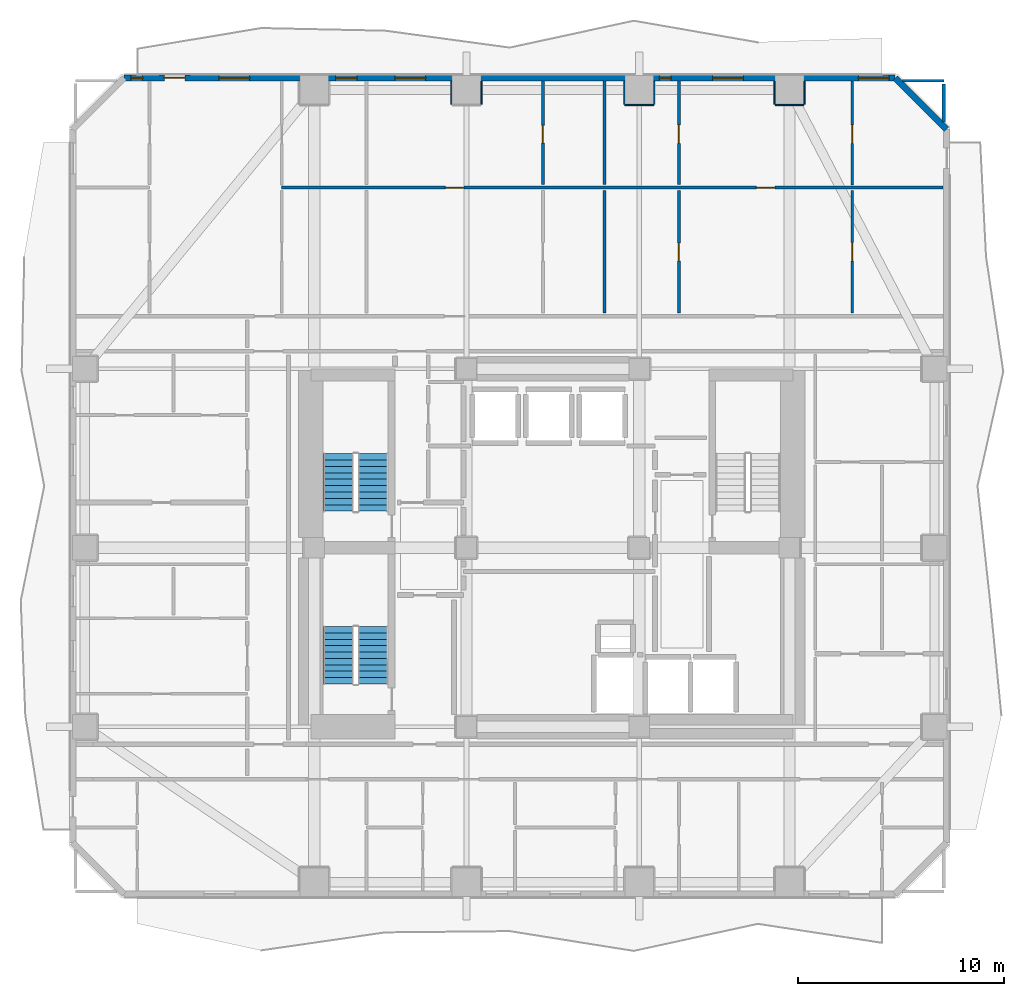
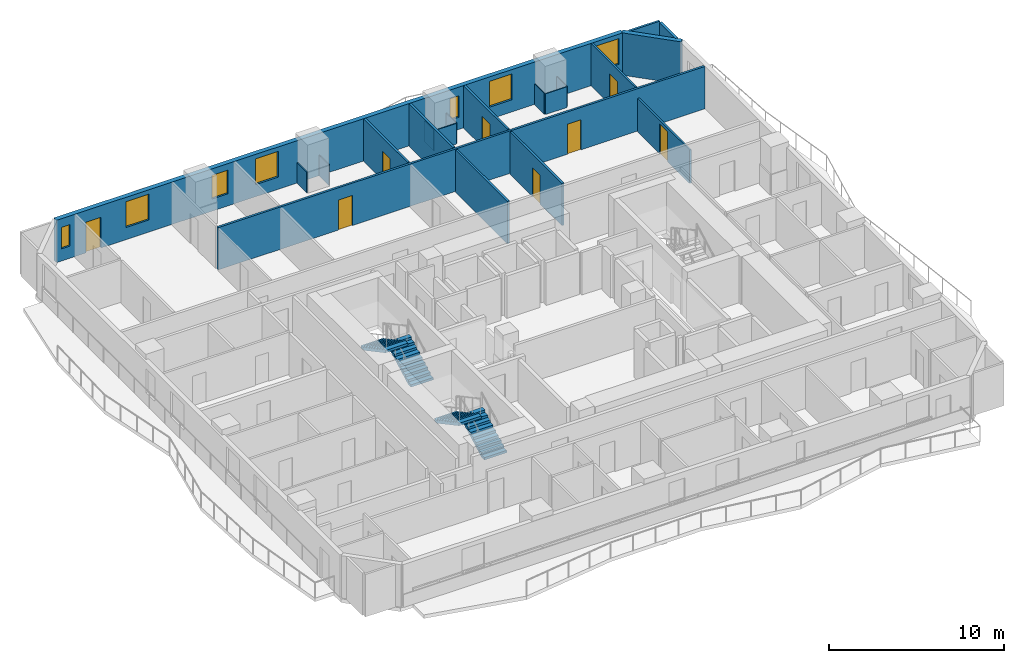
# One storey, part 7 of 12: 20 walls, 8 doors, 7 windows, 4 stair flights, 15 openings, 2 elements without a shape of their own.
"""IFC4 building model written with IfcOpenShell, lengths in metres."""

from ifc_helpers import new_model, si_unit, direction, frame, frame_2d, origin, place, context, subcontext, project, spatial, polyline, rectangle, outline, extrude, material, layer, layer_set, type_object, element, fill, aggregate, save


model = new_model("IFC4")

# Units and contexts
model_context = context("Model", 3, precision=1e-05, world=origin(), true_north=direction((0.0, 1.0)))
body_context = subcontext(model_context, "Body", "Model", "MODEL_VIEW")
ifc_project = project(units=[si_unit("LENGTHUNIT", "METRE"), si_unit("AREAUNIT", "SQUARE_METRE"), si_unit("VOLUMEUNIT", "CUBIC_METRE"), si_unit("PLANEANGLEUNIT", "RADIAN"), si_unit("MASSUNIT", "GRAM", prefix="KILO")], contexts=[model_context])

# Site, building, storey
site_placement = place(None, origin())
site = spatial("IfcSite", under=ifc_project, at=site_placement, CompositionType="ELEMENT")
building_placement = place(site_placement, origin())
building = spatial("IfcBuilding", under=site, at=building_placement, Name="Solanera Arch Residences", CompositionType="ELEMENT")
storey_placement = place(building_placement, frame((0.0, 0.0, 85.080078125)))
storey = spatial("IfcBuildingStorey", under=building, at=storey_placement, Name="L24", CompositionType="ELEMENT", Elevation=85.080078125)

# Walls
ifc_material_1 = material(Name="Fire-Rated Gypsum Stud Partition", Category="gypsum")
ifc_layer_1 = layer(ifc_material_1, 0.06005859375)
ifc_layer_set_1 = layer_set([ifc_layer_1], Name="Fire-Rated Gypsum Stud Partition")
wall_type_1 = type_object("IfcWallType", Name="Column Acoustic Furring Wall 60", PredefinedType="PARTITIONING", material=ifc_layer_set_1)
for number, where, z_axis, x_axis, name in (
    (1, (20.068115234375, 52.25, 0.0), (0.0, 0.0, 1.0), (0.0, 1.0, 0.0), "L24 Column Furring 12W"),
    (2, (21.531982421875, 52.25, 0.0), (0.0, 0.0, 1.0), (0.0, 1.0, 0.0), "L24 Column Furring 12E"),
):
    element("IfcWall", number, at=place(storey_placement, frame(where, z_axis=z_axis, x_axis=x_axis)), inside=storey, type_object=wall_type_1, Name=name, PredefinedType="PARTITIONING", context=body_context, shape_type="SweptSolid", body=[
        extrude(rectangle(XDim=1.1201171875, YDim=0.06005859375, at=frame_2d((0.56005859375, 0.0))), origin(), (0.0, 0.0, 1.0), 1.449951171875),
    ])
wall_1_placement = place(storey_placement, frame((28.5, 52.218017578125, 0.0), z_axis=(0.0, 0.0, 1.0), x_axis=(1.0, 0.0, 0.0)))
element("IfcWall", 3, at=wall_1_placement, inside=storey, type_object=wall_type_1, Name="L24 Column Furring 14S", PredefinedType="PARTITIONING", context=body_context, shape_type="SweptSolid", body=[
    extrude(rectangle(XDim=1.39990234375, YDim=0.06005859375, at=frame_2d((0.699951171875, 0.0))), origin(), (0.0, 0.0, 1.0), 1.449951171875),
])
for number, where, z_axis, x_axis, name in (
    (4, (28.468017578125, 52.25, 0.0), (0.0, 0.0, 1.0), (0.0, 1.0, 0.0), "L24 Column Furring 14W"),
    (5, (29.931884765625, 52.25, 0.0), (0.0, 0.0, 1.0), (0.0, 1.0, 0.0), "L24 Column Furring 14E"),
):
    element("IfcWall", number, at=place(storey_placement, frame(where, z_axis=z_axis, x_axis=x_axis)), inside=storey, type_object=wall_type_1, Name=name, PredefinedType="PARTITIONING", context=body_context, shape_type="SweptSolid", body=[
        extrude(rectangle(XDim=1.1201171875, YDim=0.06005859375, at=frame_2d((0.56005859375, 0.0))), origin(), (0.0, 0.0, 1.0), 1.449951171875),
    ])
wall_2_placement = place(storey_placement, frame((35.800048828125, 52.218017578125, 0.0), z_axis=(0.0, 0.0, 1.0), x_axis=(1.0, 0.0, 0.0)))
element("IfcWall", 6, at=wall_2_placement, inside=storey, type_object=wall_type_1, Name="L24 Column Furring 16S", PredefinedType="PARTITIONING", context=body_context, shape_type="SweptSolid", body=[
    extrude(rectangle(XDim=1.39990234375, YDim=0.06005859375, at=frame_2d((0.699951171875, 0.0))), origin(), (0.0, 0.0, 1.0), 1.449951171875),
])
for number, where, z_axis, x_axis, name in (
    (7, (35.76806640625, 52.25, 0.0), (0.0, 0.0, 1.0), (0.0, 1.0, 0.0), "L24 Column Furring 16W"),
    (8, (37.23193359375, 52.25, 0.0), (0.0, 0.0, 1.0), (0.0, 1.0, 0.0), "L24 Column Furring 16E"),
):
    element("IfcWall", number, at=place(storey_placement, frame(where, z_axis=z_axis, x_axis=x_axis)), inside=storey, type_object=wall_type_1, Name=name, PredefinedType="PARTITIONING", context=body_context, shape_type="SweptSolid", body=[
        extrude(rectangle(XDim=1.1201171875, YDim=0.06005859375, at=frame_2d((0.56005859375, 0.0))), origin(), (0.0, 0.0, 1.0), 1.449951171875),
    ])
ifc_material_2 = material(Name="Autoclaved Aerated Concrete Blockwork", Category="masonry")
ifc_layer_2 = layer(ifc_material_2, 0.179931640625)
ifc_layer_set_2 = layer_set([ifc_layer_2], Name="Autoclaved Aerated Concrete Blockwork")
wall_type_2 = type_object("IfcWallType", Name="Corridor Fire Partition 180", PredefinedType="PARTITIONING", material=ifc_layer_set_2)
wall_3_placement = place(storey_placement, frame((44.0, 51.39892578125, 0.0), z_axis=(0.0, 0.0, 1.0), x_axis=(0.0, 1.0, 0.0)))
element("IfcWall", 9, at=wall_3_placement, inside=storey, type_object=wall_type_2, Name="L24 Interior Partition V9 2", PredefinedType="PARTITIONING", context=body_context, shape_type="SweptSolid", body=[
    extrude(rectangle(XDim=1.8330078125, YDim=0.179931640625, at=frame_2d((0.91650390625, 0.0))), origin(), (0.0, 0.0, 1.0), 2.9599609375),
])

# Wall, openings, door, windows
ifc_material_3 = material(Name="Precast Concrete C35/45", Category="concrete")
ifc_layer_3 = layer(ifc_material_3, 0.300048828125)
ifc_layer_set_3 = layer_set([ifc_layer_3], Name="Precast Concrete C35/45")
wall_type_3 = type_object("IfcWallType", Name="Exterior Wall Precast Masonry-Frame 300", PredefinedType="STANDARD", material=ifc_layer_set_3)
wall_4_placement = place(storey_placement, frame((4.1650390625, 53.534912109375, 0.0), z_axis=(0.0, 0.0, 1.0), x_axis=(1.0, 0.0, 0.0)))
wall_4 = element("IfcWall", 10, at=wall_4_placement, inside=storey, type_object=wall_type_3, Name="L24 Tower Exterior Precast Masonry-Frame Wall N", PredefinedType="STANDARD", context=body_context, shape_type="SweptSolid", body=[
    extrude(rectangle(XDim=37.469970703125, YDim=0.300048828125, at=frame_2d((18.73486328125, 0.0))), origin(), (0.0, 0.0, 1.0), 2.9599609375),
])
opening_1_placement = place(wall_4_placement, frame((1.950927734375, 0.0, 0.0)))
opening_1 = element("IfcOpeningElement", 11, at=opening_1_placement, cuts=wall_4, Name="Opening DB-01", PredefinedType="OPENING", context=body_context, shape_type="SweptSolid", body=[
    extrude(rectangle(XDim=1.0, YDim=2.14990234375, at=frame_2d((0.5, 1.074951171875))), frame((0.0, 0.159912109375, 0.0), z_axis=(0.0, -1.0, 0.0), x_axis=(1.0, 0.0, 0.0)), (0.0, 0.0, 1.0), 0.32),
])
opening_2_placement = place(wall_4_placement, frame((4.60302734375, 0.0, 0.85009765625)))
opening_2 = element("IfcOpeningElement", 12, at=opening_2_placement, cuts=wall_4, Name="Opening W-02", PredefinedType="OPENING", context=body_context, shape_type="SweptSolid", body=[
    extrude(rectangle(XDim=1.5, YDim=1.800048828125, at=frame_2d((0.75, 0.89990234375))), frame((0.0, 0.159912109375, 0.0), z_axis=(0.0, -1.0, 0.0), x_axis=(1.0, 0.0, 0.0)), (0.0, 0.0, 1.0), 0.32),
])
opening_3_placement = place(wall_4_placement, frame((0.323974609375, 0.0, 0.85009765625)))
opening_3 = element("IfcOpeningElement", 13, at=opening_3_placement, cuts=wall_4, Name="Opening W-14", PredefinedType="OPENING", context=body_context, shape_type="SweptSolid", body=[
    extrude(rectangle(XDim=0.580078125, YDim=1.5, at=frame_2d((0.2900390625, 0.75))), frame((0.0, 0.159912109375, 0.0), z_axis=(0.0, -1.0, 0.0), x_axis=(1.0, 0.0, 0.0)), (0.0, 0.0, 1.0), 0.32),
])
opening_4_placement = place(wall_4_placement, frame((10.279052734375, 0.0, 0.85009765625)))
opening_4 = element("IfcOpeningElement", 14, at=opening_4_placement, cuts=wall_4, Name="Opening W-07", PredefinedType="OPENING", context=body_context, shape_type="SweptSolid", body=[
    extrude(rectangle(XDim=1.050048828125, YDim=1.64990234375, at=frame_2d((0.52490234375, 0.824951171875))), frame((0.0, 0.159912109375, 0.0), z_axis=(0.0, -1.0, 0.0), x_axis=(1.0, 0.0, 0.0)), (0.0, 0.0, 1.0), 0.32),
])
opening_5_placement = place(wall_4_placement, frame((13.154052734375, 0.0, 0.85009765625)))
opening_5 = element("IfcOpeningElement", 15, at=opening_5_placement, cuts=wall_4, Name="Opening W-02", PredefinedType="OPENING", context=body_context, shape_type="SweptSolid", body=[
    extrude(rectangle(XDim=1.5, YDim=1.800048828125, at=frame_2d((0.75, 0.89990234375))), frame((0.0, 0.159912109375, 0.0), z_axis=(0.0, -1.0, 0.0), x_axis=(1.0, 0.0, 0.0)), (0.0, 0.0, 1.0), 0.32),
])
opening_6_placement = place(wall_4_placement, frame((28.596923828125, 0.0, 0.85009765625)))
opening_6 = element("IfcOpeningElement", 16, at=opening_6_placement, cuts=wall_4, Name="Opening W-02", PredefinedType="OPENING", context=body_context, shape_type="SweptSolid", body=[
    extrude(rectangle(XDim=1.5, YDim=1.800048828125, at=frame_2d((0.75, 0.89990234375))), frame((0.0, 0.159912109375, 0.0), z_axis=(0.0, -1.0, 0.0), x_axis=(1.0, 0.0, 0.0)), (0.0, 0.0, 1.0), 0.32),
])
opening_7_placement = place(wall_4_placement, frame((26.007080078125, 0.0, 0.85009765625)))
opening_7 = element("IfcOpeningElement", 17, at=opening_7_placement, cuts=wall_4, Name="Opening W-14", PredefinedType="OPENING", context=body_context, shape_type="SweptSolid", body=[
    extrude(rectangle(XDim=0.580078125, YDim=1.5, at=frame_2d((0.2900390625, 0.75))), frame((0.0, 0.159912109375, 0.0), z_axis=(0.0, -1.0, 0.0), x_axis=(1.0, 0.0, 0.0)), (0.0, 0.0, 1.0), 0.32),
])
opening_8_placement = place(wall_4_placement, frame((35.681884765625, 0.0, 0.85009765625)))
opening_8 = element("IfcOpeningElement", 18, at=opening_8_placement, cuts=wall_4, Name="Opening W-02", PredefinedType="OPENING", context=body_context, shape_type="SweptSolid", body=[
    extrude(rectangle(XDim=1.5, YDim=1.800048828125, at=frame_2d((0.75, 0.89990234375))), frame((0.0, 0.159912109375, 0.0), z_axis=(0.0, -1.0, 0.0), x_axis=(1.0, 0.0, 0.0)), (0.0, 0.0, 1.0), 0.32),
])
ifc_material_4 = material(Name="Anodised Aluminium Alloy 6063-T6", Category="aluminium")
door_type_1 = type_object("IfcDoorType", Name="Glazed Balcony Swing Door DB-01", OperationType="NOTDEFINED", PredefinedType="DOOR", material=ifc_material_4)
door_1_placement = place(opening_1_placement, origin())
door_1 = element("IfcDoor", 19, at=door_1_placement, inside=storey, type_object=door_type_1, Name="DR-L24-OUT-02", OperationType="SINGLE_SWING_LEFT", OverallHeight=2.14990234375, OverallWidth=1.0, PredefinedType="DOOR", context=body_context, shape_type="SweptSolid", body=[
    extrude(rectangle(XDim=1.0, YDim=2.14990234375, at=frame_2d((0.5, 1.074951171875))), frame((0.0, 0.02490234375, 0.0), z_axis=(0.0, -1.0, 0.0), x_axis=(1.0, 0.0, 0.0)), (0.0, 0.0, 1.0), 0.050048828125),
])
fill(opening_1, door_1)
ifc_material_5 = material(Name="Double Glazed Low-E Laminated Glass", Category="glass")
window_type_1 = type_object("IfcWindowType", Name="Punched Window W-02", PartitioningType="DOUBLE_PANEL_VERTICAL", PredefinedType="WINDOW", material=ifc_material_5)
window_1_placement = place(opening_2_placement, origin())
window_1 = element("IfcWindow", 20, at=window_1_placement, inside=storey, type_object=window_type_1, Name="L24 2405-LIV Punched Window", OverallHeight=1.800048828125, OverallWidth=1.5, PartitioningType="SINGLE_PANEL", PredefinedType="WINDOW", context=body_context, shape_type="SweptSolid", body=[
    extrude(rectangle(XDim=1.5, YDim=1.800048828125, at=frame_2d((0.75, 0.89990234375))), frame((0.0, 0.030029296875, 0.0), z_axis=(0.0, -1.0, 0.0), x_axis=(1.0, 0.0, 0.0)), (0.0, 0.0, 1.0), 0.06005859375),
])
fill(opening_2, window_1)
window_2_placement = place(opening_5_placement, origin())
window_2 = element("IfcWindow", 21, at=window_2_placement, inside=storey, type_object=window_type_1, Name="L24 2406-LIV Punched Window", OverallHeight=1.800048828125, OverallWidth=1.5, PartitioningType="SINGLE_PANEL", PredefinedType="WINDOW", context=body_context, shape_type="SweptSolid", body=[
    extrude(rectangle(XDim=1.5, YDim=1.800048828125, at=frame_2d((0.75, 0.89990234375))), frame((0.0, 0.030029296875, 0.0), z_axis=(0.0, -1.0, 0.0), x_axis=(1.0, 0.0, 0.0)), (0.0, 0.0, 1.0), 0.06005859375),
])
fill(opening_5, window_2)
window_3_placement = place(opening_6_placement, origin())
window_3 = element("IfcWindow", 22, at=window_3_placement, inside=storey, type_object=window_type_1, Name="L24 2407-LIV Punched Window", OverallHeight=1.800048828125, OverallWidth=1.5, PartitioningType="SINGLE_PANEL", PredefinedType="WINDOW", context=body_context, shape_type="SweptSolid", body=[
    extrude(rectangle(XDim=1.5, YDim=1.800048828125, at=frame_2d((0.75, 0.89990234375))), frame((0.0, 0.030029296875, 0.0), z_axis=(0.0, -1.0, 0.0), x_axis=(1.0, 0.0, 0.0)), (0.0, 0.0, 1.0), 0.06005859375),
])
fill(opening_6, window_3)
window_4_placement = place(opening_8_placement, origin())
window_4 = element("IfcWindow", 23, at=window_4_placement, inside=storey, type_object=window_type_1, Name="L24 2407-STD Punched Window", OverallHeight=1.800048828125, OverallWidth=1.5, PartitioningType="SINGLE_PANEL", PredefinedType="WINDOW", context=body_context, shape_type="SweptSolid", body=[
    extrude(rectangle(XDim=1.5, YDim=1.800048828125, at=frame_2d((0.75, 0.89990234375))), frame((0.0, 0.030029296875, 0.0), z_axis=(0.0, -1.0, 0.0), x_axis=(1.0, 0.0, 0.0)), (0.0, 0.0, 1.0), 0.06005859375),
])
fill(opening_8, window_4)
ifc_material_6 = material(Name="Double Glazed Low-E Laminated Glass", Category="glass")
window_type_2 = type_object("IfcWindowType", Name="Punched Window W-07", PartitioningType="SINGLE_PANEL", PredefinedType="WINDOW", material=ifc_material_6)
window_5_placement = place(opening_4_placement, origin())
window_5 = element("IfcWindow", 24, at=window_5_placement, inside=storey, type_object=window_type_2, Name="L24 2405-STD Punched Window", OverallHeight=1.64990234375, OverallWidth=1.050048828125, PartitioningType="SINGLE_PANEL", PredefinedType="WINDOW", context=body_context, shape_type="SweptSolid", body=[
    extrude(rectangle(XDim=1.050048828125, YDim=1.64990234375, at=frame_2d((0.52490234375, 0.824951171875))), frame((0.0, 0.030029296875, 0.0), z_axis=(0.0, -1.0, 0.0), x_axis=(1.0, 0.0, 0.0)), (0.0, 0.0, 1.0), 0.06005859375),
])
fill(opening_4, window_5)
ifc_material_7 = material(Name="Double Glazed Low-E Laminated Glass", Category="glass")
window_type_3 = type_object("IfcWindowType", Name="Punched Window W-14", PartitioningType="SINGLE_PANEL", PredefinedType="WINDOW", material=ifc_material_7)
window_6_placement = place(opening_3_placement, origin())
window_6 = element("IfcWindow", 25, at=window_6_placement, inside=storey, type_object=window_type_3, Name="L24 2405-BR1 Punched Window", OverallHeight=1.5, OverallWidth=0.580078125, PartitioningType="SINGLE_PANEL", PredefinedType="WINDOW", context=body_context, shape_type="SweptSolid", body=[
    extrude(rectangle(XDim=0.580078125, YDim=1.5, at=frame_2d((0.2900390625, 0.75))), frame((0.0, 0.030029296875, 0.0), z_axis=(0.0, -1.0, 0.0), x_axis=(1.0, 0.0, 0.0)), (0.0, 0.0, 1.0), 0.06005859375),
])
fill(opening_3, window_6)
window_7_placement = place(opening_7_placement, origin())
window_7 = element("IfcWindow", 26, at=window_7_placement, inside=storey, type_object=window_type_3, Name="L24 2407-BR1 Punched Window", OverallHeight=1.5, OverallWidth=0.580078125, PartitioningType="SINGLE_PANEL", PredefinedType="WINDOW", context=body_context, shape_type="SweptSolid", body=[
    extrude(rectangle(XDim=0.580078125, YDim=1.5, at=frame_2d((0.2900390625, 0.75))), frame((0.0, 0.030029296875, 0.0), z_axis=(0.0, -1.0, 0.0), x_axis=(1.0, 0.0, 0.0)), (0.0, 0.0, 1.0), 0.06005859375),
])
fill(opening_7, window_7)

# Wall
wall_5_placement = place(storey_placement, frame((41.635009765625, 53.534912109375, 0.0), z_axis=(0.0, 0.0, 1.0), x_axis=(0.707106781187, -0.707106781187, 0.0)))
element("IfcWall", 27, at=wall_5_placement, inside=storey, type_object=wall_type_3, Name="L24 Tower Exterior Precast Masonry-Frame Wall CH3", PredefinedType="STANDARD", context=body_context, shape_type="SweptSolid", body=[
    extrude(rectangle(XDim=3.53564453125, YDim=0.300048828125, at=frame_2d((1.767822265625, 0.0))), origin(), (0.0, 0.0, 1.0), 2.9599609375),
])

# Wall, opening, door
ifc_material_8 = material(Name="Fire-Rated Gypsum Stud Partition", Category="gypsum")
ifc_layer_4 = layer(ifc_material_8, 0.1201171875)
ifc_layer_set_4 = layer_set([ifc_layer_4], Name="Fire-Rated Gypsum Stud Partition")
wall_type_4 = type_object("IfcWallType", Name="Unit Drywall Partition 120", PredefinedType="PARTITIONING", material=ifc_layer_set_4)
wall_6_placement = place(storey_placement, frame((39.550048828125, 42.10791015625, 0.0), z_axis=(0.0, 0.0, 1.0), x_axis=(0.0, 1.0, 0.0)))
wall_6 = element("IfcWall", 28, at=wall_6_placement, inside=storey, type_object=wall_type_4, Name="L24 Interior Partition V31 1", PredefinedType="PARTITIONING", context=body_context, shape_type="SweptSolid", body=[
    extrude(rectangle(XDim=5.9541015625, YDim=0.1201171875, at=frame_2d((2.97705078125, 0.0))), origin(), (0.0, 0.0, 1.0), 2.344970703125),
])
opening_9_placement = place(wall_6_placement, frame((2.51708984375, 0.0, 0.0)))
opening_9 = element("IfcOpeningElement", 29, at=opening_9_placement, cuts=wall_6, Name="Opening DI-02", PredefinedType="OPENING", context=body_context, shape_type="SweptSolid", body=[
    extrude(rectangle(XDim=0.89990234375, YDim=2.10009765625, at=frame_2d((0.449951171875, 1.050048828125))), frame((0.0, 0.070068359375, 0.0), z_axis=(0.0, -1.0, 0.0), x_axis=(1.0, 0.0, 0.0)), (0.0, 0.0, 1.0), 0.1401),
])
ifc_material_9 = material(Name="Fire-Rated Architectural Hardwood", Category="wood")
door_type_2 = type_object("IfcDoorType", Name="Suite Room Swing Door DI-02", OperationType="NOTDEFINED", PredefinedType="DOOR", material=ifc_material_9)
door_2_placement = place(opening_9_placement, origin())
door_2 = element("IfcDoor", 30, at=door_2_placement, inside=storey, type_object=door_type_2, Name="DR-L24-IN-039", OperationType="SINGLE_SWING_LEFT", OverallHeight=2.10009765625, OverallWidth=0.89990234375, PredefinedType="DOOR", context=body_context, shape_type="SweptSolid", body=[
    extrude(rectangle(XDim=0.89990234375, YDim=2.10009765625, at=frame_2d((0.449951171875, 1.050048828125))), frame((0.0, 0.02490234375, 0.0), z_axis=(0.0, -1.0, 0.0), x_axis=(1.0, 0.0, 0.0)), (0.0, 0.0, 1.0), 0.050048828125),
])
fill(opening_9, door_2)

wall_7_placement = place(storey_placement, frame((39.550048828125, 48.337890625, 0.0), z_axis=(0.0, 0.0, 1.0), x_axis=(0.0, 1.0, 0.0)))
wall_7 = element("IfcWall", 31, at=wall_7_placement, inside=storey, type_object=wall_type_4, Name="L24 Interior Partition V31 2", PredefinedType="PARTITIONING", context=body_context, shape_type="SweptSolid", body=[
    extrude(rectangle(XDim=5.03515625, YDim=0.1201171875, at=frame_2d((2.517578125, 0.0))), origin(), (0.0, 0.0, 1.0), 2.9599609375),
])
opening_10_placement = place(wall_7_placement, frame((2.011962890625, 0.0, 0.0)))
opening_10 = element("IfcOpeningElement", 32, at=opening_10_placement, cuts=wall_7, Name="Opening DI-02", PredefinedType="OPENING", context=body_context, shape_type="SweptSolid", body=[
    extrude(rectangle(XDim=0.89990234375, YDim=2.10009765625, at=frame_2d((0.449951171875, 1.050048828125))), frame((0.0, 0.070068359375, 0.0), z_axis=(0.0, -1.0, 0.0), x_axis=(1.0, 0.0, 0.0)), (0.0, 0.0, 1.0), 0.1401),
])
door_3_placement = place(opening_10_placement, origin())
door_3 = element("IfcDoor", 33, at=door_3_placement, inside=storey, type_object=door_type_2, Name="DR-L24-IN-040", OperationType="SINGLE_SWING_RIGHT", OverallHeight=2.10009765625, OverallWidth=0.89990234375, PredefinedType="DOOR", context=body_context, shape_type="SweptSolid", body=[
    extrude(rectangle(XDim=0.89990234375, YDim=2.10009765625, at=frame_2d((0.449951171875, 1.050048828125))), frame((0.0, 0.02490234375, 0.0), z_axis=(0.0, -1.0, 0.0), x_axis=(1.0, 0.0, 0.0)), (0.0, 0.0, 1.0), 0.050048828125),
])
fill(opening_10, door_3)

# Wall, openings, doors
ifc_material_10 = material(Name="Autoclaved Aerated Concrete Blockwork", Category="masonry")
ifc_layer_5 = layer(ifc_material_10, 0.139892578125)
ifc_layer_set_5 = layer_set([ifc_layer_5], Name="Autoclaved Aerated Concrete Blockwork")
wall_type_5 = type_object("IfcWallType", Name="Wet-Room Partition 140", PredefinedType="PARTITIONING", material=ifc_layer_set_5)
wall_8_placement = place(storey_placement, frame((11.820068359375, 48.199951171875, 0.0), z_axis=(0.0, 0.0, 1.0), x_axis=(1.0, 0.0, 0.0)))
wall_8 = element("IfcWall", 34, at=wall_8_placement, inside=storey, type_object=wall_type_5, Name="L24 Interior Partition H26", PredefinedType="PARTITIONING", context=body_context, shape_type="SweptSolid", body=[
    extrude(rectangle(XDim=32.15283203125, YDim=0.139892578125, at=frame_2d((16.076416015625, 0.0))), origin(), (0.0, 0.0, 1.0), 2.9599609375),
])
opening_11_placement = place(wall_8_placement, frame((7.958984375, 0.0, 0.0)))
opening_11 = element("IfcOpeningElement", 35, at=opening_11_placement, cuts=wall_8, Name="Opening DI-02", PredefinedType="OPENING", context=body_context, shape_type="SweptSolid", body=[
    extrude(rectangle(XDim=0.89990234375, YDim=2.10009765625, at=frame_2d((0.449951171875, 1.050048828125))), frame((0.0, 0.079833984375, 0.0), z_axis=(0.0, -1.0, 0.0), x_axis=(1.0, 0.0, 0.0)), (0.0, 0.0, 1.0), 0.1599),
])
opening_12_placement = place(wall_8_placement, frame((23.06689453125, 0.0, 0.0)))
opening_12 = element("IfcOpeningElement", 36, at=opening_12_placement, cuts=wall_8, Name="Opening DI-02", PredefinedType="OPENING", context=body_context, shape_type="SweptSolid", body=[
    extrude(rectangle(XDim=0.89990234375, YDim=2.10009765625, at=frame_2d((0.449951171875, 1.050048828125))), frame((0.0, 0.079833984375, 0.0), z_axis=(0.0, -1.0, 0.0), x_axis=(1.0, 0.0, 0.0)), (0.0, 0.0, 1.0), 0.1599),
])
door_4_placement = place(opening_11_placement, origin())
door_4 = element("IfcDoor", 37, at=door_4_placement, inside=storey, type_object=door_type_2, Name="DR-L24-IN-032", OperationType="SINGLE_SWING_RIGHT", OverallHeight=2.10009765625, OverallWidth=0.89990234375, PredefinedType="DOOR", context=body_context, shape_type="SweptSolid", body=[
    extrude(rectangle(XDim=0.89990234375, YDim=2.10009765625, at=frame_2d((0.449951171875, 1.050048828125))), frame((0.0, 0.02490234375, 0.0), z_axis=(0.0, -1.0, 0.0), x_axis=(1.0, 0.0, 0.0)), (0.0, 0.0, 1.0), 0.050048828125),
])
fill(opening_11, door_4)
door_5_placement = place(opening_12_placement, origin())
door_5 = element("IfcDoor", 38, at=door_5_placement, inside=storey, type_object=door_type_2, Name="DR-L24-IN-036", OperationType="SINGLE_SWING_RIGHT", OverallHeight=2.10009765625, OverallWidth=0.89990234375, PredefinedType="DOOR", context=body_context, shape_type="SweptSolid", body=[
    extrude(rectangle(XDim=0.89990234375, YDim=2.10009765625, at=frame_2d((0.449951171875, 1.050048828125))), frame((0.0, 0.02490234375, 0.0), z_axis=(0.0, -1.0, 0.0), x_axis=(1.0, 0.0, 0.0)), (0.0, 0.0, 1.0), 0.050048828125),
])
fill(opening_12, door_5)

# Wall
wall_9_placement = place(storey_placement, frame((41.9990234375, 53.39990234375, 0.0), z_axis=(0.0, 0.0, 1.0), x_axis=(1.0, 0.0, 0.0)))
element("IfcWall", 39, at=wall_9_placement, inside=storey, type_object=wall_type_5, Name="L24 Interior Partition H27 2", PredefinedType="PARTITIONING", context=body_context, shape_type="SweptSolid", body=[
    extrude(rectangle(XDim=2.0009765625, YDim=0.139892578125, at=frame_2d((1.00048828125, 0.0))), origin(), (0.0, 0.0, 1.0), 2.9599609375),
])

# Wall, opening, door
wall_10_placement = place(storey_placement, frame((24.52001953125, 48.347900390625, 0.0), z_axis=(0.0, 0.0, 1.0), x_axis=(0.0, 1.0, 0.0)))
wall_10 = element("IfcWall", 40, at=wall_10_placement, inside=storey, type_object=wall_type_5, Name="L24 Interior Partition V21 2", PredefinedType="PARTITIONING", context=body_context, shape_type="SweptSolid", body=[
    extrude(rectangle(XDim=5.025146484375, YDim=0.139892578125, at=frame_2d((2.5126953125, 0.0))), origin(), (0.0, 0.0, 1.0), 2.9599609375),
])
opening_13_placement = place(wall_10_placement, frame((2.02197265625, 0.0, 0.0)))
opening_13 = element("IfcOpeningElement", 41, at=opening_13_placement, cuts=wall_10, Name="Opening DI-05", PredefinedType="OPENING", context=body_context, shape_type="SweptSolid", body=[
    extrude(rectangle(XDim=0.860107421875, YDim=2.02001953125, at=frame_2d((0.43017578125, 1.010009765625))), frame((0.0, 0.079833984375, 0.0), z_axis=(0.0, -1.0, 0.0), x_axis=(1.0, 0.0, 0.0)), (0.0, 0.0, 1.0), 0.1599),
])
ifc_material_11 = material(Name="Fire-Rated Architectural Hardwood", Category="wood")
door_type_3 = type_object("IfcDoorType", Name="Bathroom Swing Door DI-05", OperationType="NOTDEFINED", PredefinedType="DOOR", material=ifc_material_11)
door_6_placement = place(opening_13_placement, origin())
door_6 = element("IfcDoor", 42, at=door_6_placement, inside=storey, type_object=door_type_3, Name="DR-L24-IN-034", OperationType="SINGLE_SWING_RIGHT", OverallHeight=2.02001953125, OverallWidth=0.860107421875, PredefinedType="DOOR", context=body_context, shape_type="SweptSolid", body=[
    extrude(rectangle(XDim=0.860107421875, YDim=2.02001953125, at=frame_2d((0.43017578125, 1.010009765625))), frame((0.0, 0.02490234375, 0.0), z_axis=(0.0, -1.0, 0.0), x_axis=(1.0, 0.0, 0.0)), (0.0, 0.0, 1.0), 0.050048828125),
])
fill(opening_13, door_6)

# Walls
wall_11_placement = place(storey_placement, frame((27.52001953125, 42.117919921875, 0.0), z_axis=(0.0, 0.0, 1.0), x_axis=(0.0, 1.0, 0.0)))
element("IfcWall", 43, at=wall_11_placement, inside=storey, type_object=wall_type_5, Name="L24 Interior Partition V22 1", PredefinedType="PARTITIONING", context=body_context, shape_type="SweptSolid", body=[
    extrude(rectangle(XDim=5.93408203125, YDim=0.139892578125, at=frame_2d((2.967041015625, 0.0))), origin(), (0.0, 0.0, 1.0), 2.9599609375),
])
wall_12_placement = place(storey_placement, frame((27.52001953125, 48.347900390625, 0.0), z_axis=(0.0, 0.0, 1.0), x_axis=(0.0, 1.0, 0.0)))
element("IfcWall", 44, at=wall_12_placement, inside=storey, type_object=wall_type_5, Name="L24 Interior Partition V22 2", PredefinedType="PARTITIONING", context=body_context, shape_type="SweptSolid", body=[
    extrude(rectangle(XDim=5.025146484375, YDim=0.139892578125, at=frame_2d((2.5126953125, 0.0))), origin(), (0.0, 0.0, 1.0), 2.9599609375),
])

# Wall, opening, door
wall_13_placement = place(storey_placement, frame((31.1240234375, 42.117919921875, 0.0), z_axis=(0.0, 0.0, 1.0), x_axis=(0.0, 1.0, 0.0)))
wall_13 = element("IfcWall", 45, at=wall_13_placement, inside=storey, type_object=wall_type_5, Name="L24 Interior Partition V25 1", PredefinedType="PARTITIONING", context=body_context, shape_type="SweptSolid", body=[
    extrude(rectangle(XDim=5.93408203125, YDim=0.139892578125, at=frame_2d((2.967041015625, 0.0))), origin(), (0.0, 0.0, 1.0), 2.9599609375),
])
opening_14_placement = place(wall_13_placement, frame((2.527099609375, 0.0, 0.0)))
opening_14 = element("IfcOpeningElement", 46, at=opening_14_placement, cuts=wall_13, Name="Opening DI-05", PredefinedType="OPENING", context=body_context, shape_type="SweptSolid", body=[
    extrude(rectangle(XDim=0.860107421875, YDim=2.02001953125, at=frame_2d((0.43017578125, 1.010009765625))), frame((0.0, 0.079833984375, 0.0), z_axis=(0.0, -1.0, 0.0), x_axis=(1.0, 0.0, 0.0)), (0.0, 0.0, 1.0), 0.1599),
])
door_7_placement = place(opening_14_placement, origin())
door_7 = element("IfcDoor", 47, at=door_7_placement, inside=storey, type_object=door_type_3, Name="DR-L24-IN-037", OperationType="SINGLE_SWING_LEFT", OverallHeight=2.02001953125, OverallWidth=0.860107421875, PredefinedType="DOOR", context=body_context, shape_type="SweptSolid", body=[
    extrude(rectangle(XDim=0.860107421875, YDim=2.02001953125, at=frame_2d((0.43017578125, 1.010009765625))), frame((0.0, 0.02490234375, 0.0), z_axis=(0.0, -1.0, 0.0), x_axis=(1.0, 0.0, 0.0)), (0.0, 0.0, 1.0), 0.050048828125),
])
fill(opening_14, door_7)

wall_14_placement = place(storey_placement, frame((31.1240234375, 48.347900390625, 0.0), z_axis=(0.0, 0.0, 1.0), x_axis=(0.0, 1.0, 0.0)))
wall_14 = element("IfcWall", 48, at=wall_14_placement, inside=storey, type_object=wall_type_5, Name="L24 Interior Partition V25 2", PredefinedType="PARTITIONING", context=body_context, shape_type="SweptSolid", body=[
    extrude(rectangle(XDim=5.025146484375, YDim=0.139892578125, at=frame_2d((2.5126953125, 0.0))), origin(), (0.0, 0.0, 1.0), 2.9599609375),
])
opening_15_placement = place(wall_14_placement, frame((2.001953125, 0.0, 0.0)))
opening_15 = element("IfcOpeningElement", 49, at=opening_15_placement, cuts=wall_14, Name="Opening DI-03", PredefinedType="OPENING", context=body_context, shape_type="SweptSolid", body=[
    extrude(rectangle(XDim=0.89990234375, YDim=2.10009765625, at=frame_2d((0.449951171875, 1.050048828125))), frame((0.0, 0.079833984375, 0.0), z_axis=(0.0, -1.0, 0.0), x_axis=(1.0, 0.0, 0.0)), (0.0, 0.0, 1.0), 0.1599),
])
ifc_material_12 = material(Name="Fire-Rated Architectural Hardwood", Category="wood")
door_type_4 = type_object("IfcDoorType", Name="Bedroom Swing Door DI-03", OperationType="NOTDEFINED", PredefinedType="DOOR", material=ifc_material_12)
door_8_placement = place(opening_15_placement, origin())
door_8 = element("IfcDoor", 50, at=door_8_placement, inside=storey, type_object=door_type_4, Name="DR-L24-IN-038", OperationType="SINGLE_SWING_RIGHT", OverallHeight=2.10009765625, OverallWidth=0.89990234375, PredefinedType="DOOR", context=body_context, shape_type="SweptSolid", body=[
    extrude(rectangle(XDim=0.89990234375, YDim=2.10009765625, at=frame_2d((0.449951171875, 1.050048828125))), frame((0.0, 0.02490234375, 0.0), z_axis=(0.0, -1.0, 0.0), x_axis=(1.0, 0.0, 0.0)), (0.0, 0.0, 1.0), 0.050048828125),
])
fill(opening_15, door_8)

# Stair, stair flights
ifc_material_13 = material(Name="Concrete C40/50 (f'c = 45 MPa)", Category="concrete")
stair_type = type_object("IfcStairType", Name="Tower Dogleg Exit Stair 1480", PredefinedType="HALF_TURN_STAIR", material=ifc_material_13)
stair_1_placement = place(storey_placement, origin())
stair_1 = element("IfcStair", 51, at=stair_1_placement, inside=storey, type_object=stair_type, Name="L24 Tower Core Exit Stair 1", PredefinedType="HALF_TURN_STAIR")
ifc_material_14 = material(Name="Concrete C40/50 (f'c = 45 MPa)", Category="concrete")
stair_flight_type = type_object("IfcStairFlightType", Name="Tower Precast Stair Flight 1480", PredefinedType="STRAIGHT", material=ifc_material_14)
stair_flight_1_placement = place(storey_placement, frame((16.260009765625, 32.47998046875, 0.0), z_axis=(0.0, 0.0, 1.0), x_axis=(0.0, 1.0, 0.0)))
stair_flight_1 = element("IfcStairFlight", 52, at=stair_flight_1_placement, type_object=stair_flight_type, Name="ST-T1 flight 1", NumberOfRisers=10, NumberOfTreads=9, PredefinedType="STRAIGHT", RiserHeight=0.166, TreadLength=0.31, context=body_context, shape_type="SweptSolid", body=[
    extrude(outline(polyline([(0.0, 0.0), (0.0, 0.166015625), (0.31005859375, 0.166015625), (0.31005859375, 0.33203125), (0.6201171875, 0.33203125), (0.6201171875, 0.498046875), (0.929931640625, 0.498046875), (0.929931640625, 0.6640625), (1.239990234375, 0.6640625), (1.239990234375, 0.830078125), (1.550048828125, 0.830078125), (1.550048828125, 0.99609375), (1.860107421875, 0.99609375), (1.860107421875, 1.162109375), (2.169921875, 1.162109375), (2.169921875, 1.327880859375), (2.47998046875, 1.327880859375), (2.47998046875, 1.493896484375), (2.7900390625, 1.493896484375), (2.7900390625, 1.659912109375), (2.7900390625, 1.323974609375), (0.317626953125, 0.0), (0.0, 0.0)])), frame((0.0, 0.739990234375, 0.0), z_axis=(0.0, -1.0, 0.0), x_axis=(1.0, 0.0, 0.0)), (0.0, 0.0, 1.0), 1.47998046875),
])
stair_flight_2_placement = place(storey_placement, frame((14.580078125, 35.27001953125, 1.659912109375), z_axis=(0.0, 0.0, 1.0), x_axis=(0.0, -1.0, 0.0)))
stair_flight_2 = element("IfcStairFlight", 53, at=stair_flight_2_placement, type_object=stair_flight_type, Name="ST-T1 flight 2", NumberOfRisers=10, NumberOfTreads=9, PredefinedType="STRAIGHT", RiserHeight=0.166, TreadLength=0.31, context=body_context, shape_type="SweptSolid", body=[
    extrude(outline(polyline([(0.0, 0.0), (0.0, 0.166015625), (0.31005859375, 0.166015625), (0.31005859375, 0.33203125), (0.6201171875, 0.33203125), (0.6201171875, 0.498046875), (0.929931640625, 0.498046875), (0.929931640625, 0.6640625), (1.239990234375, 0.6640625), (1.239990234375, 0.830078125), (1.550048828125, 0.830078125), (1.550048828125, 0.99609375), (1.860107421875, 0.99609375), (1.860107421875, 1.162109375), (2.169921875, 1.162109375), (2.169921875, 1.327880859375), (2.47998046875, 1.327880859375), (2.47998046875, 1.493896484375), (2.7900390625, 1.493896484375), (2.7900390625, 1.659912109375), (2.7900390625, 1.323974609375), (0.317626953125, 0.0), (0.0, 0.0)])), frame((0.0, 0.739990234375, 0.0), z_axis=(0.0, -1.0, 0.0), x_axis=(1.0, 0.0, 0.0)), (0.0, 0.0, 1.0), 1.47998046875),
])
aggregate(stair_1, [stair_flight_1, stair_flight_2])

stair_2_placement = place(storey_placement, origin())
stair_2 = element("IfcStair", 54, at=stair_2_placement, inside=storey, type_object=stair_type, Name="L24 Tower Core Exit Stair 3", PredefinedType="HALF_TURN_STAIR")
stair_flight_3_placement = place(storey_placement, frame((16.260009765625, 24.080078125, 0.0), z_axis=(0.0, 0.0, 1.0), x_axis=(0.0, 1.0, 0.0)))
stair_flight_3 = element("IfcStairFlight", 55, at=stair_flight_3_placement, type_object=stair_flight_type, Name="ST-T3 flight 1", NumberOfRisers=10, NumberOfTreads=9, PredefinedType="STRAIGHT", RiserHeight=0.166, TreadLength=0.31, context=body_context, shape_type="SweptSolid", body=[
    extrude(outline(polyline([(0.0, 0.0), (0.0, 0.166015625), (0.31005859375, 0.166015625), (0.31005859375, 0.33203125), (0.6201171875, 0.33203125), (0.6201171875, 0.498046875), (0.929931640625, 0.498046875), (0.929931640625, 0.6640625), (1.239990234375, 0.6640625), (1.239990234375, 0.830078125), (1.550048828125, 0.830078125), (1.550048828125, 0.99609375), (1.860107421875, 0.99609375), (1.860107421875, 1.162109375), (2.169921875, 1.162109375), (2.169921875, 1.327880859375), (2.47998046875, 1.327880859375), (2.47998046875, 1.493896484375), (2.7900390625, 1.493896484375), (2.7900390625, 1.659912109375), (2.7900390625, 1.323974609375), (0.317626953125, 0.0), (0.0, 0.0)])), frame((0.0, 0.739990234375, 0.0), z_axis=(0.0, -1.0, 0.0), x_axis=(1.0, 0.0, 0.0)), (0.0, 0.0, 1.0), 1.47998046875),
])
stair_flight_4_placement = place(storey_placement, frame((14.580078125, 26.8701171875, 1.659912109375), z_axis=(0.0, 0.0, 1.0), x_axis=(0.0, -1.0, 0.0)))
stair_flight_4 = element("IfcStairFlight", 56, at=stair_flight_4_placement, type_object=stair_flight_type, Name="ST-T3 flight 2", NumberOfRisers=10, NumberOfTreads=9, PredefinedType="STRAIGHT", RiserHeight=0.166, TreadLength=0.31, context=body_context, shape_type="SweptSolid", body=[
    extrude(outline(polyline([(0.0, 0.0), (0.0, 0.166015625), (0.31005859375, 0.166015625), (0.31005859375, 0.33203125), (0.6201171875, 0.33203125), (0.6201171875, 0.498046875), (0.929931640625, 0.498046875), (0.929931640625, 0.6640625), (1.239990234375, 0.6640625), (1.239990234375, 0.830078125), (1.550048828125, 0.830078125), (1.550048828125, 0.99609375), (1.860107421875, 0.99609375), (1.860107421875, 1.162109375), (2.169921875, 1.162109375), (2.169921875, 1.327880859375), (2.47998046875, 1.327880859375), (2.47998046875, 1.493896484375), (2.7900390625, 1.493896484375), (2.7900390625, 1.659912109375), (2.7900390625, 1.323974609375), (0.317626953125, 0.0), (0.0, 0.0)])), frame((0.0, 0.739990234375, 0.0), z_axis=(0.0, -1.0, 0.0), x_axis=(1.0, 0.0, 0.0)), (0.0, 0.0, 1.0), 1.47998046875),
])
aggregate(stair_2, [stair_flight_3, stair_flight_4])

save(model, "model.ifc")
